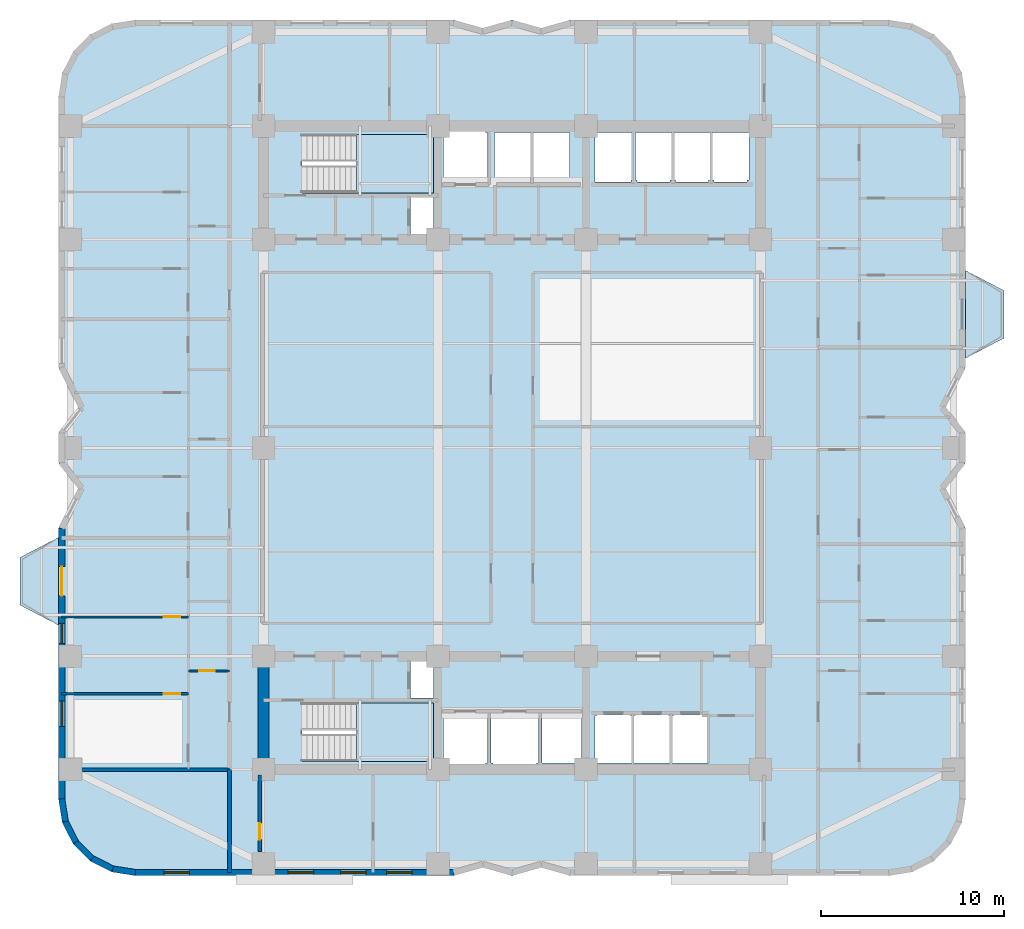
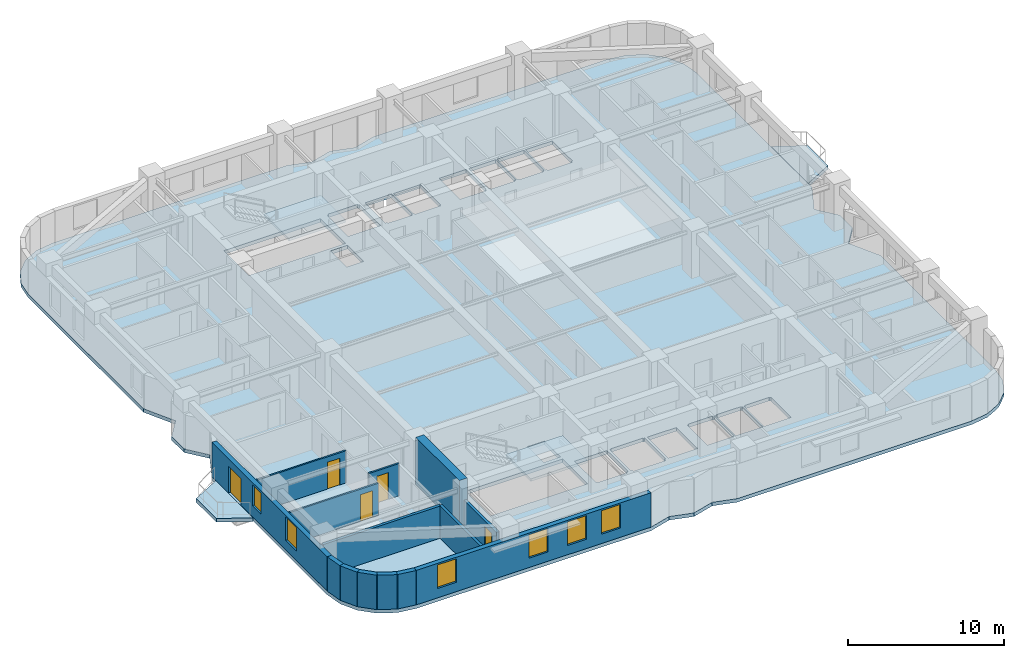
# One storey, part 2 of 10: 14 walls, 6 windows, 5 doors, 5 slabs, 11 openings, 2 elements without a shape of their own.
"""IFC4 building model written with IfcOpenShell, lengths in metres."""

from ifc_helpers import new_model, si_unit, direction, frame, frame_2d, origin, place, context, subcontext, project, spatial, polyline, rectangle, outline, extrude, material, layer, layer_set, type_object, element, fill, aggregate, save


model = new_model("IFC4")

# Units and contexts
model_context = context("Model", 3, precision=1e-05, world=origin(), true_north=direction((0.0, 1.0)))
body_context = subcontext(model_context, "Body", "Model", "MODEL_VIEW")
ifc_project = project(units=[si_unit("LENGTHUNIT", "METRE"), si_unit("AREAUNIT", "SQUARE_METRE"), si_unit("VOLUMEUNIT", "CUBIC_METRE"), si_unit("PLANEANGLEUNIT", "RADIAN"), si_unit("MASSUNIT", "GRAM", prefix="KILO")], contexts=[model_context])

# Site, building, storey
site_placement = place(None, origin())
site = spatial("IfcSite", under=ifc_project, at=site_placement, CompositionType="ELEMENT")
building_placement = place(site_placement, origin())
building = spatial("IfcBuilding", under=site, at=building_placement, Name="Svetorya Sky Lyceum", CompositionType="ELEMENT")
storey_placement = place(building_placement, frame((0.0, 0.0, 69.5)))
storey = spatial("IfcBuildingStorey", under=building, at=storey_placement, Name="L17", CompositionType="ELEMENT", Elevation=69.5)

# Slabs
ifc_material_1 = material(Name="Concrete C40/50", Category="concrete")
ifc_layer_1 = layer(ifc_material_1, 0.280029296875)
ifc_layer_set_1 = layer_set([ifc_layer_1], Name="Concrete C40/50")
slab_type_1 = type_object("IfcSlabType", Name="SL-BAL-280", PredefinedType="FLOOR", material=ifc_layer_set_1)
slab_1_placement = place(storey_placement, frame((0.0, 0.0, -0.280029296875)))
element("IfcSlab", 1, at=slab_1_placement, inside=storey, type_object=slab_type_1, Name="L17 Chamfered Loggia Balcony BAL-W1", PredefinedType="FLOOR", context=body_context, shape_type="SweptSolid", body=[
    extrude(outline(polyline([(14.389892578125, 18.5), (14.389892578125, 23.300048828125), (12.2900390625, 22.199951171875), (12.2900390625, 19.60009765625), (14.389892578125, 18.5)])), origin(), (0.0, 0.0, 1.0), 0.280029296875),
])
slab_2_placement = place(storey_placement, frame((0.0, 0.0, -0.280029296875)))
element("IfcSlab", 2, at=slab_2_placement, inside=storey, type_object=slab_type_1, Name="L17 Chamfered Loggia Balcony BAL-E1", PredefinedType="FLOOR", context=body_context, shape_type="SweptSolid", body=[
    extrude(outline(polyline([(64.010009765625, 33.10009765625), (66.110107421875, 34.199951171875), (66.110107421875, 36.800048828125), (64.010009765625, 37.89990234375), (64.010009765625, 33.10009765625)])), origin(), (0.0, 0.0, 1.0), 0.280029296875),
])

# Stair, slab
stair_type_1 = type_object("IfcStairType", Name="STR-ST-S", PredefinedType="HALF_TURN_STAIR", material=ifc_material_1)
stair_1_placement = place(storey_placement, origin())
stair_1 = element("IfcStair", 3, at=stair_1_placement, inside=storey, type_object=stair_type_1, Name="L17 South Core Smoke-Free Exit Stair N2", PredefinedType="HALF_TURN_STAIR")
ifc_layer_2 = layer(ifc_material_1, 0.199951171875)
ifc_layer_set_2 = layer_set([ifc_layer_2], Name="Concrete C40/50")
slab_type_2 = type_object("IfcSlabType", Name="SL-STR-LAND-200", PredefinedType="LANDING", material=ifc_layer_set_2)
slab_3_placement = place(storey_placement, frame((0.0, 0.0, 1.64990234375)))
slab_3 = element("IfcSlab", 4, at=slab_3_placement, type_object=slab_type_2, Name="ST-S landing 1", PredefinedType="LANDING", context=body_context, shape_type="SweptSolid", body=[
    extrude(outline(polyline([(30.699951171875, 11.050048828125), (34.89990234375, 11.050048828125), (34.89990234375, 14.25), (30.699951171875, 14.25), (30.699951171875, 11.050048828125)])), origin(), (0.0, 0.0, 1.0), 0.2001953125),
])
aggregate(stair_1, [slab_3])

stair_type_2 = type_object("IfcStairType", Name="STR-ST-N", PredefinedType="HALF_TURN_STAIR", material=ifc_material_1)
stair_2_placement = place(storey_placement, origin())
stair_2 = element("IfcStair", 5, at=stair_2_placement, inside=storey, type_object=stair_type_2, Name="L17 North Core Smoke-Free Exit Stair N3", PredefinedType="HALF_TURN_STAIR")
slab_4_placement = place(storey_placement, frame((0.0, 0.0, 1.64990234375)))
slab_4 = element("IfcSlab", 6, at=slab_4_placement, type_object=slab_type_2, Name="ST-N landing 1", PredefinedType="LANDING", context=body_context, shape_type="SweptSolid", body=[
    extrude(outline(polyline([(30.699951171875, 42.14990234375), (34.89990234375, 42.14990234375), (34.89990234375, 45.35009765625), (30.699951171875, 45.35009765625), (30.699951171875, 42.14990234375)])), origin(), (0.0, 0.0, 1.0), 0.2001953125),
])
aggregate(stair_2, [slab_4])

# Slab
ifc_material_2 = material(Name="Concrete C50/60", Category="concrete")
ifc_layer_3 = layer(ifc_material_2, 0.280029296875)
ifc_layer_set_3 = layer_set([ifc_layer_3], Name="Concrete C50/60")
slab_type_3 = type_object("IfcSlabType", Name="SL-TWR-280", PredefinedType="FLOOR", material=ifc_layer_set_3)
slab_5_placement = place(storey_placement, frame((0.0, 0.0, -0.280029296875)))
element("IfcSlab", 7, at=slab_5_placement, inside=storey, type_object=slab_type_3, Name="L17 Structural Floor Slab", PredefinedType="FLOOR", context=body_context, shape_type="SweptSolid", body=[
    extrude(outline(polyline([(14.39990234375, 9.0), (14.605712890625, 7.7021484375), (15.2021484375, 6.53125), (16.13134765625, 5.60205078125), (17.302001953125, 5.005615234375), (18.60009765625, 4.800048828125), (36.0, 4.800048828125), (37.60009765625, 5.25), (39.199951171875, 4.800048828125), (40.800048828125, 5.25), (42.39990234375, 4.800048828125), (59.800048828125, 4.800048828125), (61.097900390625, 5.005615234375), (62.268798828125, 5.60205078125), (63.197998046875, 6.53125), (63.79443359375, 7.7021484375), (64.0, 9.0), (64.0, 23.800048828125), (62.89990234375, 26.0), (64.0, 27.39990234375), (64.0, 29.0), (62.89990234375, 30.39990234375), (64.0, 32.60009765625), (64.0, 47.39990234375), (63.79443359375, 48.697998046875), (63.197998046875, 49.86865234375), (62.268798828125, 50.7978515625), (61.097900390625, 51.394287109375), (59.800048828125, 51.60009765625), (42.39990234375, 51.60009765625), (40.800048828125, 51.14990234375), (39.199951171875, 51.60009765625), (37.60009765625, 51.14990234375), (36.0, 51.60009765625), (18.60009765625, 51.60009765625), (17.302001953125, 51.394287109375), (16.13134765625, 50.7978515625), (15.2021484375, 49.86865234375), (14.605712890625, 48.697998046875), (14.39990234375, 47.39990234375), (14.39990234375, 32.60009765625), (15.5, 30.39990234375), (14.39990234375, 29.0), (14.39990234375, 27.39990234375), (15.5, 26.0), (14.39990234375, 23.800048828125), (14.39990234375, 9.0)]), holes=[polyline([(35.550048828125, 13.64990234375), (37.75, 13.64990234375), (37.85009765625, 13.64990234375), (37.85009765625, 10.949951171875), (37.75, 10.949951171875), (37.75, 10.85009765625), (35.550048828125, 10.85009765625), (35.550048828125, 10.949951171875), (35.449951171875, 10.949951171875), (35.449951171875, 13.64990234375), (35.550048828125, 13.64990234375)]), polyline([(40.64990234375, 10.949951171875), (40.550048828125, 10.949951171875), (40.550048828125, 10.800048828125), (38.14990234375, 10.800048828125), (38.14990234375, 10.949951171875), (38.050048828125, 10.949951171875), (38.050048828125, 13.64990234375), (38.14990234375, 13.64990234375), (38.14990234375, 13.699951171875), (40.550048828125, 13.699951171875), (40.550048828125, 13.64990234375), (40.64990234375, 13.64990234375), (40.64990234375, 10.949951171875)]), polyline([(40.85009765625, 13.64990234375), (43.0, 13.64990234375), (43.0, 10.949951171875), (40.85009765625, 10.949951171875), (40.85009765625, 13.64990234375)]), polyline([(27.719970703125, 14.25), (34.89990234375, 14.25), (34.89990234375, 11.050048828125), (27.719970703125, 11.050048828125), (27.719970703125, 14.25)]), polyline([(33.64990234375, 16.580078125), (34.89990234375, 16.580078125), (34.89990234375, 14.52001953125), (33.64990234375, 14.52001953125), (33.64990234375, 16.580078125)]), polyline([(33.64990234375, 39.820068359375), (33.64990234375, 41.89990234375), (34.89990234375, 41.89990234375), (34.89990234375, 39.820068359375), (33.64990234375, 39.820068359375)]), polyline([(27.719970703125, 45.35009765625), (34.89990234375, 45.35009765625), (34.89990234375, 42.14990234375), (27.719970703125, 42.14990234375), (27.719970703125, 45.35009765625)]), polyline([(35.550048828125, 42.75), (35.449951171875, 42.75), (35.449951171875, 45.449951171875), (35.550048828125, 45.449951171875), (35.550048828125, 45.550048828125), (37.75, 45.550048828125), (37.75, 45.449951171875), (37.85009765625, 45.449951171875), (37.85009765625, 42.75), (37.75, 42.75), (35.550048828125, 42.75)]), polyline([(40.199951171875, 42.85009765625), (40.199951171875, 42.75), (38.39990234375, 42.75), (38.39990234375, 42.85009765625), (38.25, 42.85009765625), (38.25, 45.449951171875), (38.39990234375, 45.449951171875), (40.199951171875, 45.449951171875), (40.25, 45.449951171875), (40.25, 42.85009765625), (40.199951171875, 42.85009765625)]), polyline([(40.39990234375, 42.85009765625), (40.35009765625, 42.85009765625), (40.35009765625, 45.449951171875), (40.39990234375, 45.449951171875), (42.300048828125, 45.449951171875), (42.35009765625, 45.449951171875), (42.35009765625, 42.85009765625), (42.300048828125, 42.85009765625), (42.300048828125, 42.75), (40.39990234375, 42.75), (40.39990234375, 42.85009765625)]), polyline([(43.85009765625, 10.949951171875), (43.75, 10.949951171875), (43.75, 13.550048828125), (43.85009765625, 13.550048828125), (43.85009765625, 13.60009765625), (45.64990234375, 13.60009765625), (45.64990234375, 13.550048828125), (45.75, 13.550048828125), (45.75, 10.949951171875), (45.64990234375, 10.949951171875), (43.85009765625, 10.949951171875)]), polyline([(45.949951171875, 10.949951171875), (45.85009765625, 10.949951171875), (45.85009765625, 13.550048828125), (45.949951171875, 13.550048828125), (45.949951171875, 13.60009765625), (47.75, 13.60009765625), (47.75, 13.550048828125), (47.85009765625, 13.550048828125), (47.85009765625, 10.949951171875), (47.75, 10.949951171875), (45.949951171875, 10.949951171875)]), polyline([(49.85009765625, 13.550048828125), (49.949951171875, 13.550048828125), (49.949951171875, 10.949951171875), (49.85009765625, 10.949951171875), (48.050048828125, 10.949951171875), (47.949951171875, 10.949951171875), (47.949951171875, 13.550048828125), (48.050048828125, 13.550048828125), (48.050048828125, 13.60009765625), (49.85009765625, 13.60009765625), (49.85009765625, 13.550048828125)]), polyline([(43.75, 42.85009765625), (43.75, 45.449951171875), (45.699951171875, 45.449951171875), (45.75, 45.449951171875), (45.75, 42.85009765625), (45.699951171875, 42.85009765625), (45.699951171875, 42.75), (43.75, 42.75), (43.75, 42.85009765625)]), polyline([(46.050048828125, 42.85009765625), (45.949951171875, 42.85009765625), (45.949951171875, 45.449951171875), (46.050048828125, 45.449951171875), (47.85009765625, 45.449951171875), (47.949951171875, 45.449951171875), (47.949951171875, 42.85009765625), (47.85009765625, 42.85009765625), (47.85009765625, 42.75), (46.050048828125, 42.75), (46.050048828125, 42.85009765625)]), polyline([(48.14990234375, 42.85009765625), (48.050048828125, 42.85009765625), (48.050048828125, 45.449951171875), (48.14990234375, 45.449951171875), (49.949951171875, 45.449951171875), (50.050048828125, 45.449951171875), (50.050048828125, 42.85009765625), (49.949951171875, 42.85009765625), (49.949951171875, 42.75), (48.14990234375, 42.75), (48.14990234375, 42.85009765625)]), polyline([(50.25, 42.85009765625), (50.14990234375, 42.85009765625), (50.14990234375, 45.449951171875), (50.25, 45.449951171875), (52.050048828125, 45.449951171875), (52.14990234375, 45.449951171875), (52.14990234375, 42.85009765625), (52.050048828125, 42.85009765625), (52.050048828125, 42.75), (50.25, 42.75), (50.25, 42.85009765625)])]), origin(), (0.0, 0.0, 1.0), 0.280029296875),
])

# Walls
ifc_material_3 = material(Name="Concrete C60/75", Category="concrete")
ifc_layer_4 = layer(ifc_material_3, 0.60009765625)
ifc_layer_set_4 = layer_set([ifc_layer_4], Name="Concrete C60/75")
wall_type_1 = type_object("IfcWallType", Name="WL-CORE-600", PredefinedType="SHEAR", material=ifc_layer_set_4)
wall_1_placement = place(storey_placement, frame((25.60009765625, 10.89990234375, 0.0), z_axis=(0.0, 0.0, 1.0), x_axis=(0.0, 1.0, 0.0)))
element("IfcWall", 8, at=wall_1_placement, inside=storey, type_object=wall_type_1, Name="L17 SC West Core Shear Wall", PredefinedType="SHEAR", context=body_context, shape_type="SweptSolid", body=[
    extrude(rectangle(XDim=5.60009765625, YDim=0.60009765625, at=frame_2d((2.800048828125, 0.0))), origin(), (0.0, 0.0, 1.0), 3.699951171875),
])
ifc_material_4 = material(Name="Putilovo limestone rainscreen on autoclaved cellular masonry", Category="masonry")
ifc_layer_5 = layer(ifc_material_4, 0.340087890625)
ifc_layer_set_5 = layer_set([ifc_layer_5], Name="Putilovo limestone rainscreen on autoclaved cellular masonry")
wall_type_2 = type_object("IfcWallType", Name="WL-EXT-340", PredefinedType="SOLIDWALL", material=ifc_layer_set_5)
wall_2_placement = place(storey_placement, frame((14.570068359375, 9.0, 0.0), z_axis=(0.0, 0.0, 1.0), x_axis=(0.156260864002, -0.98771582066, 0.0)))
element("IfcWall", 9, at=wall_2_placement, inside=storey, type_object=wall_type_2, Name="L17 Limestone Exterior Wall 1M", PredefinedType="SOLIDWALL", context=body_context, shape_type="SweptSolid", body=[
    extrude(rectangle(XDim=1.2607421875, YDim=0.340087890625, at=frame_2d((0.63037109375, 0.0))), origin(), (0.0, 0.0, 1.0), 2.699951171875),
])
wall_3_placement = place(storey_placement, frame((14.76708984375, 7.754638671875, 0.0), z_axis=(0.0, 0.0, 1.0), x_axis=(0.454015689056, -0.890993689142, 0.0)))
element("IfcWall", 10, at=wall_3_placement, inside=storey, type_object=wall_type_2, Name="L17 Limestone Exterior Wall 2M", PredefinedType="SOLIDWALL", context=body_context, shape_type="SweptSolid", body=[
    extrude(rectangle(XDim=1.260986328125, YDim=0.340087890625, at=frame_2d((0.63037109375, 0.0))), origin(), (0.0, 0.0, 1.0), 2.699951171875),
])
wall_4_placement = place(storey_placement, frame((15.339599609375, 6.631103515625, 0.0), z_axis=(0.0, 0.0, 1.0), x_axis=(0.707203598708, -0.707009950407, 0.0)))
element("IfcWall", 11, at=wall_4_placement, inside=storey, type_object=wall_type_2, Name="L17 Limestone Exterior Wall 3M", PredefinedType="SOLIDWALL", context=body_context, shape_type="SweptSolid", body=[
    extrude(rectangle(XDim=1.2607421875, YDim=0.340087890625, at=frame_2d((0.63037109375, 0.0))), origin(), (0.0, 0.0, 1.0), 2.699951171875),
])
for number, where, z_axis, x_axis, name in (
    (12, (16.231201171875, 5.73974609375, 0.0), (0.0, 0.0, 1.0), (0.890993689142, -0.454015689056, 0.0), "L17 Limestone Exterior Wall 4M"),
    (13, (17.354736328125, 5.167236328125, 0.0), (0.0, 0.0, 1.0), (0.987685918112, -0.15644975923, 0.0), "L17 Limestone Exterior Wall 5M"),
):
    element("IfcWall", number, at=place(storey_placement, frame(where, z_axis=z_axis, x_axis=x_axis)), inside=storey, type_object=wall_type_2, Name=name, PredefinedType="SOLIDWALL", context=body_context, shape_type="SweptSolid", body=[
        extrude(rectangle(XDim=1.260986328125, YDim=0.340087890625, at=frame_2d((0.63037109375, 0.0))), origin(), (0.0, 0.0, 1.0), 2.699951171875),
    ])

# Wall, openings, windows
wall_5_placement = place(storey_placement, frame((18.60009765625, 4.969970703125, 0.0), z_axis=(0.0, 0.0, 1.0), x_axis=(1.0, 0.0, 0.0)))
wall_5 = element("IfcWall", 14, at=wall_5_placement, inside=storey, type_object=wall_type_2, Name="L17 Limestone Exterior Wall 6M", PredefinedType="SOLIDWALL", context=body_context, shape_type="SweptSolid", body=[
    extrude(rectangle(XDim=17.39990234375, YDim=0.340087890625, at=frame_2d((8.699951171875, 0.0))), origin(), (0.0, 0.0, 1.0), 2.699951171875),
])
opening_1_placement = place(wall_5_placement, frame((1.56005859375, 0.0, 0.72998046875)))
opening_1 = element("IfcOpeningElement", 15, at=opening_1_placement, cuts=wall_5, Name="Opening W-R2", PredefinedType="OPENING", context=body_context, shape_type="SweptSolid", body=[
    extrude(rectangle(XDim=1.39990234375, YDim=1.85009765625, at=frame_2d((0.699951171875, 0.925048828125))), frame((0.0, 0.179931640625, 0.0), z_axis=(0.0, -1.0, 0.0), x_axis=(1.0, 0.0, 0.0)), (0.0, 0.0, 1.0), 0.360107421875),
])
opening_2_placement = place(wall_5_placement, frame((8.35009765625, 0.0, 0.72998046875)))
opening_2 = element("IfcOpeningElement", 16, at=opening_2_placement, cuts=wall_5, Name="Opening W-R2", PredefinedType="OPENING", context=body_context, shape_type="SweptSolid", body=[
    extrude(rectangle(XDim=1.39990234375, YDim=1.85009765625, at=frame_2d((0.699951171875, 0.925048828125))), frame((0.0, 0.179931640625, 0.0), z_axis=(0.0, -1.0, 0.0), x_axis=(1.0, 0.0, 0.0)), (0.0, 0.0, 1.0), 0.360107421875),
])
opening_3_placement = place(wall_5_placement, frame((11.219970703125, 0.0, 0.72998046875)))
opening_3 = element("IfcOpeningElement", 17, at=opening_3_placement, cuts=wall_5, Name="Opening W-R2", PredefinedType="OPENING", context=body_context, shape_type="SweptSolid", body=[
    extrude(rectangle(XDim=1.39990234375, YDim=1.85009765625, at=frame_2d((0.699951171875, 0.925048828125))), frame((0.0, 0.179931640625, 0.0), z_axis=(0.0, -1.0, 0.0), x_axis=(1.0, 0.0, 0.0)), (0.0, 0.0, 1.0), 0.360107421875),
])
opening_4_placement = place(wall_5_placement, frame((13.739990234375, 0.0, 0.72998046875)))
opening_4 = element("IfcOpeningElement", 18, at=opening_4_placement, cuts=wall_5, Name="Opening W-R2", PredefinedType="OPENING", context=body_context, shape_type="SweptSolid", body=[
    extrude(rectangle(XDim=1.39990234375, YDim=1.85009765625, at=frame_2d((0.699951171875, 0.925048828125))), frame((0.0, 0.179931640625, 0.0), z_axis=(0.0, -1.0, 0.0), x_axis=(1.0, 0.0, 0.0)), (0.0, 0.0, 1.0), 0.360107421875),
])
ifc_material_5 = material(Name="Thermally broken aluminium frame with triple low-E glazing", Category="aluminium")
window_type_1 = type_object("IfcWindowType", Name="WN-RES-140", PartitioningType="SINGLE_PANEL", PredefinedType="WINDOW", material=ifc_material_5)
window_1_placement = place(opening_1_placement, origin())
window_1 = element("IfcWindow", 19, at=window_1_placement, inside=storey, type_object=window_type_1, Name="L17 Facade Window W-R2.6M.1", OverallHeight=1.85009765625, OverallWidth=1.39990234375, PartitioningType="SINGLE_PANEL", PredefinedType="WINDOW", context=body_context, shape_type="SweptSolid", body=[
    extrude(rectangle(XDim=1.39990234375, YDim=1.85009765625, at=frame_2d((0.699951171875, 0.925048828125))), frame((0.0, 0.030029296875, 0.0), z_axis=(0.0, -1.0, 0.0), x_axis=(1.0, 0.0, 0.0)), (0.0, 0.0, 1.0), 0.06005859375),
])
fill(opening_1, window_1)
window_2_placement = place(opening_2_placement, origin())
window_2 = element("IfcWindow", 20, at=window_2_placement, inside=storey, type_object=window_type_1, Name="L17 Facade Window W-R2.6M.2", OverallHeight=1.85009765625, OverallWidth=1.39990234375, PartitioningType="SINGLE_PANEL", PredefinedType="WINDOW", context=body_context, shape_type="SweptSolid", body=[
    extrude(rectangle(XDim=1.39990234375, YDim=1.85009765625, at=frame_2d((0.699951171875, 0.925048828125))), frame((0.0, 0.030029296875, 0.0), z_axis=(0.0, -1.0, 0.0), x_axis=(1.0, 0.0, 0.0)), (0.0, 0.0, 1.0), 0.06005859375),
])
fill(opening_2, window_2)
window_3_placement = place(opening_3_placement, origin())
window_3 = element("IfcWindow", 21, at=window_3_placement, inside=storey, type_object=window_type_1, Name="L17 Facade Window W-R2.6M.3", OverallHeight=1.85009765625, OverallWidth=1.39990234375, PartitioningType="SINGLE_PANEL", PredefinedType="WINDOW", context=body_context, shape_type="SweptSolid", body=[
    extrude(rectangle(XDim=1.39990234375, YDim=1.85009765625, at=frame_2d((0.699951171875, 0.925048828125))), frame((0.0, 0.030029296875, 0.0), z_axis=(0.0, -1.0, 0.0), x_axis=(1.0, 0.0, 0.0)), (0.0, 0.0, 1.0), 0.06005859375),
])
fill(opening_3, window_3)
window_4_placement = place(opening_4_placement, origin())
window_4 = element("IfcWindow", 22, at=window_4_placement, inside=storey, type_object=window_type_1, Name="L17 Facade Window W-R2.6M.4", OverallHeight=1.85009765625, OverallWidth=1.39990234375, PartitioningType="SINGLE_PANEL", PredefinedType="WINDOW", context=body_context, shape_type="SweptSolid", body=[
    extrude(rectangle(XDim=1.39990234375, YDim=1.85009765625, at=frame_2d((0.699951171875, 0.925048828125))), frame((0.0, 0.030029296875, 0.0), z_axis=(0.0, -1.0, 0.0), x_axis=(1.0, 0.0, 0.0)), (0.0, 0.0, 1.0), 0.06005859375),
])
fill(opening_4, window_4)

# Wall, openings, door, windows
wall_6_placement = place(storey_placement, frame((14.570068359375, 23.800048828125, 0.0), z_axis=(0.0, 0.0, 1.0), x_axis=(0.0, -1.0, 0.0)))
wall_6 = element("IfcWall", 23, at=wall_6_placement, inside=storey, type_object=wall_type_2, Name="L17 Limestone Exterior Wall 46M", PredefinedType="SOLIDWALL", context=body_context, shape_type="SweptSolid", body=[
    extrude(rectangle(XDim=14.800048828125, YDim=0.340087890625, at=frame_2d((7.39990234375, 0.0))), origin(), (0.0, 0.0, 1.0), 2.699951171875),
])
opening_5_placement = place(wall_6_placement, frame((2.10009765625, 0.0, 0.0)))
opening_5 = element("IfcOpeningElement", 24, at=opening_5_placement, cuts=wall_6, Name="Opening D-BL1", PredefinedType="OPENING", context=body_context, shape_type="SweptSolid", body=[
    extrude(rectangle(XDim=1.60009765625, YDim=2.10009765625, at=frame_2d((0.800048828125, 1.050048828125))), frame((0.0, 0.179931640625, 0.0), z_axis=(0.0, -1.0, 0.0), x_axis=(1.0, 0.0, 0.0)), (0.0, 0.0, 1.0), 0.360107421875),
])
opening_6_placement = place(wall_6_placement, frame((5.199951171875, 0.0, 0.889892578125)))
opening_6 = element("IfcOpeningElement", 25, at=opening_6_placement, cuts=wall_6, Name="Opening W-R3", PredefinedType="OPENING", context=body_context, shape_type="SweptSolid", body=[
    extrude(rectangle(XDim=1.10009765625, YDim=1.64990234375, at=frame_2d((0.550048828125, 0.824951171875))), frame((0.0, 0.179931640625, 0.0), z_axis=(0.0, -1.0, 0.0), x_axis=(1.0, 0.0, 0.0)), (0.0, 0.0, 1.0), 0.360107421875),
])
opening_7_placement = place(wall_6_placement, frame((9.4375, 0.0, 0.72998046875)))
opening_7 = element("IfcOpeningElement", 26, at=opening_7_placement, cuts=wall_6, Name="Opening W-R2", PredefinedType="OPENING", context=body_context, shape_type="SweptSolid", body=[
    extrude(rectangle(XDim=1.39990234375, YDim=1.85009765625, at=frame_2d((0.699951171875, 0.925048828125))), frame((0.0, 0.179931640625, 0.0), z_axis=(0.0, -1.0, 0.0), x_axis=(1.0, 0.0, 0.0)), (0.0, 0.0, 1.0), 0.360107421875),
])
ifc_material_6 = material(Name="Insulated glazed aluminium balcony door", Category="aluminium")
door_type_1 = type_object("IfcDoorType", Name="DR-BAL-1600", OperationType="DOUBLE_DOOR_SINGLE_SWING", PredefinedType="DOOR", material=ifc_material_6)
door_1_placement = place(opening_5_placement, origin())
door_1 = element("IfcDoor", 27, at=door_1_placement, inside=storey, type_object=door_type_1, Name="L17 Balcony BAL-W1 Door", OperationType="DOUBLE_DOOR_SINGLE_SWING", OverallHeight=2.10009765625, OverallWidth=1.60009765625, PredefinedType="DOOR", context=body_context, shape_type="SweptSolid", body=[
    extrude(rectangle(XDim=1.60009765625, YDim=2.10009765625, at=frame_2d((0.800048828125, 1.050048828125))), frame((0.0, 0.02490234375, 0.0), z_axis=(0.0, -1.0, 0.0), x_axis=(1.0, 0.0, 0.0)), (0.0, 0.0, 1.0), 0.050048828125),
])
fill(opening_5, door_1)
window_type_2 = type_object("IfcWindowType", Name="WN-RES-110", PartitioningType="SINGLE_PANEL", PredefinedType="WINDOW", material=ifc_material_5)
window_5_placement = place(opening_6_placement, origin())
window_5 = element("IfcWindow", 28, at=window_5_placement, inside=storey, type_object=window_type_2, Name="L17 Facade Window W-R3.46M.2", OverallHeight=1.64990234375, OverallWidth=1.10009765625, PartitioningType="SINGLE_PANEL", PredefinedType="WINDOW", context=body_context, shape_type="SweptSolid", body=[
    extrude(rectangle(XDim=1.10009765625, YDim=1.64990234375, at=frame_2d((0.550048828125, 0.824951171875))), frame((0.0, 0.030029296875, 0.0), z_axis=(0.0, -1.0, 0.0), x_axis=(1.0, 0.0, 0.0)), (0.0, 0.0, 1.0), 0.06005859375),
])
fill(opening_6, window_5)
window_6_placement = place(opening_7_placement, origin())
window_6 = element("IfcWindow", 29, at=window_6_placement, inside=storey, type_object=window_type_1, Name="L17 Facade Window W-R2.46M.1", OverallHeight=1.85009765625, OverallWidth=1.39990234375, PartitioningType="SINGLE_PANEL", PredefinedType="WINDOW", context=body_context, shape_type="SweptSolid", body=[
    extrude(rectangle(XDim=1.39990234375, YDim=1.85009765625, at=frame_2d((0.699951171875, 0.925048828125))), frame((0.0, 0.030029296875, 0.0), z_axis=(0.0, -1.0, 0.0), x_axis=(1.0, 0.0, 0.0)), (0.0, 0.0, 1.0), 0.06005859375),
])
fill(opening_7, window_6)

# Wall, opening, door
ifc_material_7 = material(Name="Twin-stud galvanized framing with double fireboard", Category="gypsum")
ifc_layer_6 = layer(ifc_material_7, 0.1201171875)
ifc_layer_set_6 = layer_set([ifc_layer_6], Name="Twin-stud galvanized framing with double fireboard")
wall_type_3 = type_object("IfcWallType", Name="WL-PART-120", PredefinedType="PARTITIONING", material=ifc_layer_set_6)
wall_7_placement = place(storey_placement, frame((21.5, 16.0, 0.0), z_axis=(0.0, 0.0, 1.0), x_axis=(1.0, 0.0, 0.0)))
wall_7 = element("IfcWall", 30, at=wall_7_placement, inside=storey, type_object=wall_type_3, Name="L17 Interior Partition W1-WH1", PredefinedType="PARTITIONING", context=body_context, shape_type="SweptSolid", body=[
    extrude(rectangle(XDim=2.25, YDim=0.1201171875, at=frame_2d((1.125, 0.0))), origin(), (0.0, 0.0, 1.0), 2.530029296875),
])
opening_8_placement = place(wall_7_placement, frame((0.60009765625, 0.0, 0.0)))
opening_8 = element("IfcOpeningElement", 31, at=opening_8_placement, cuts=wall_7, Name="Opening D-BT1", PredefinedType="OPENING", context=body_context, shape_type="SweptSolid", body=[
    extrude(rectangle(XDim=0.85009765625, YDim=2.10009765625, at=frame_2d((0.425048828125, 1.050048828125))), frame((0.0, 0.070068359375, 0.0), z_axis=(0.0, -1.0, 0.0), x_axis=(1.0, 0.0, 0.0)), (0.0, 0.0, 1.0), 0.14013671875),
])
ifc_material_8 = material(Name="Moisture-resistant laminate bathroom door")
door_type_2 = type_object("IfcDoorType", Name="DR-WET-850", OperationType="SINGLE_SWING_LEFT", PredefinedType="DOOR", material=ifc_material_8)
door_2_placement = place(opening_8_placement, origin())
door_2 = element("IfcDoor", 32, at=door_2_placement, inside=storey, type_object=door_type_2, Name="Apartment W1 Bathroom Door", OperationType="SINGLE_SWING_LEFT", OverallHeight=2.10009765625, OverallWidth=0.85009765625, PredefinedType="DOOR", context=body_context, shape_type="SweptSolid", body=[
    extrude(rectangle(XDim=0.85009765625, YDim=2.10009765625, at=frame_2d((0.425048828125, 1.050048828125))), frame((0.0, 0.02490234375, 0.0), z_axis=(0.0, -1.0, 0.0), x_axis=(1.0, 0.0, 0.0)), (0.0, 0.0, 1.0), 0.050048828125),
])
fill(opening_8, door_2)

wall_8_placement = place(storey_placement, frame((14.570068359375, 14.75, 0.0), z_axis=(0.0, 0.0, 1.0), x_axis=(1.0, 0.0, 0.0)))
wall_8 = element("IfcWall", 33, at=wall_8_placement, inside=storey, type_object=wall_type_3, Name="L17 Interior Partition W1-WL1", PredefinedType="PARTITIONING", context=body_context, shape_type="SweptSolid", body=[
    extrude(rectangle(XDim=6.929931640625, YDim=0.1201171875, at=frame_2d((3.46484375, 0.0))), origin(), (0.0, 0.0, 1.0), 2.530029296875),
])
opening_9_placement = place(wall_8_placement, frame((5.580078125, 0.0, 0.0)))
opening_9 = element("IfcOpeningElement", 34, at=opening_9_placement, cuts=wall_8, Name="Opening D-RM1", PredefinedType="OPENING", context=body_context, shape_type="SweptSolid", body=[
    extrude(rectangle(XDim=0.89990234375, YDim=2.10009765625, at=frame_2d((0.449951171875, 1.050048828125))), frame((0.0, 0.070068359375, 0.0), z_axis=(0.0, -1.0, 0.0), x_axis=(1.0, 0.0, 0.0)), (0.0, 0.0, 1.0), 0.14013671875),
])
ifc_material_9 = material(Name="Lacquered birch veneer internal door")
door_type_3 = type_object("IfcDoorType", Name="DR-INT-900", OperationType="SINGLE_SWING_LEFT", PredefinedType="DOOR", material=ifc_material_9)
door_3_placement = place(opening_9_placement, origin())
door_3 = element("IfcDoor", 35, at=door_3_placement, inside=storey, type_object=door_type_3, Name="Apartment W1 Master Bedroom Door", OperationType="SINGLE_SWING_LEFT", OverallHeight=2.10009765625, OverallWidth=0.89990234375, PredefinedType="DOOR", context=body_context, shape_type="SweptSolid", body=[
    extrude(rectangle(XDim=0.89990234375, YDim=2.10009765625, at=frame_2d((0.449951171875, 1.050048828125))), frame((0.0, 0.02490234375, 0.0), z_axis=(0.0, -1.0, 0.0), x_axis=(1.0, 0.0, 0.0)), (0.0, 0.0, 1.0), 0.050048828125),
])
fill(opening_9, door_3)

wall_9_placement = place(storey_placement, frame((14.570068359375, 18.949951171875, 0.0), z_axis=(0.0, 0.0, 1.0), x_axis=(1.0, 0.0, 0.0)))
wall_9 = element("IfcWall", 36, at=wall_9_placement, inside=storey, type_object=wall_type_3, Name="L17 Interior Partition W1-WL2", PredefinedType="PARTITIONING", context=body_context, shape_type="SweptSolid", body=[
    extrude(rectangle(XDim=6.929931640625, YDim=0.1201171875, at=frame_2d((3.46484375, 0.0))), origin(), (0.0, 0.0, 1.0), 2.530029296875),
])
opening_10_placement = place(wall_9_placement, frame((5.580078125, 0.0, 0.0)))
opening_10 = element("IfcOpeningElement", 37, at=opening_10_placement, cuts=wall_9, Name="Opening D-RM1", PredefinedType="OPENING", context=body_context, shape_type="SweptSolid", body=[
    extrude(rectangle(XDim=0.89990234375, YDim=2.10009765625, at=frame_2d((0.449951171875, 1.050048828125))), frame((0.0, 0.070068359375, 0.0), z_axis=(0.0, -1.0, 0.0), x_axis=(1.0, 0.0, 0.0)), (0.0, 0.0, 1.0), 0.14013671875),
])
door_4_placement = place(opening_10_placement, origin())
door_4 = element("IfcDoor", 38, at=door_4_placement, inside=storey, type_object=door_type_3, Name="Apartment W1 Bedroom 2 Door", OperationType="SINGLE_SWING_RIGHT", OverallHeight=2.10009765625, OverallWidth=0.89990234375, PredefinedType="DOOR", context=body_context, shape_type="SweptSolid", body=[
    extrude(rectangle(XDim=0.89990234375, YDim=2.10009765625, at=frame_2d((0.449951171875, 1.050048828125))), frame((0.0, 0.02490234375, 0.0), z_axis=(0.0, -1.0, 0.0), x_axis=(1.0, 0.0, 0.0)), (0.0, 0.0, 1.0), 0.050048828125),
])
fill(opening_10, door_4)

# Walls
ifc_material_10 = material(Name="Autoclaved cellular masonry blockwork with gypsum plaster", Category="masonry")
ifc_layer_7 = layer(ifc_material_10, 0.199951171875)
ifc_layer_set_7 = layer_set([ifc_layer_7], Name="Autoclaved cellular masonry blockwork with gypsum plaster")
wall_type_4 = type_object("IfcWallType", Name="WL-PART-200", PredefinedType="PARTITIONING", material=ifc_layer_set_7)
wall_10_placement = place(storey_placement, frame((14.989990234375, 10.60009765625, 0.0), z_axis=(0.0, 0.0, 1.0), x_axis=(1.0, 0.0, 0.0)))
element("IfcWall", 39, at=wall_10_placement, inside=storey, type_object=wall_type_4, Name="L17 Interior Partition W-CAP-S", PredefinedType="PARTITIONING", context=body_context, shape_type="SweptSolid", body=[
    extrude(rectangle(XDim=8.760009765625, YDim=0.199951171875, at=frame_2d((4.3798828125, 0.0))), origin(), (0.0, 0.0, 1.0), 2.530029296875),
])
wall_11_placement = place(storey_placement, frame((23.75, 4.969970703125, 0.0), z_axis=(0.0, 0.0, 1.0), x_axis=(0.0, 1.0, 0.0)))
element("IfcWall", 40, at=wall_11_placement, inside=storey, type_object=wall_type_4, Name="L17 Interior Partition WC-SW-END", PredefinedType="PARTITIONING", context=body_context, shape_type="SweptSolid", body=[
    extrude(rectangle(XDim=5.630126953125, YDim=0.199951171875, at=frame_2d((2.81494140625, 0.0))), origin(), (0.0, 0.0, 1.0), 2.530029296875),
])

# Wall, opening, door
wall_12_placement = place(storey_placement, frame((25.39990234375, 6.1201171875, 0.0), z_axis=(0.0, 0.0, 1.0), x_axis=(0.0, 1.0, 0.0)))
wall_12 = element("IfcWall", 41, at=wall_12_placement, inside=storey, type_object=wall_type_4, Name="L17 Interior Partition S-EW", PredefinedType="PARTITIONING", context=body_context, shape_type="SweptSolid", body=[
    extrude(rectangle(XDim=4.179931640625, YDim=0.199951171875, at=frame_2d((2.08984375, 0.0))), origin(), (0.0, 0.0, 1.0), 2.530029296875),
])
opening_11_placement = place(wall_12_placement, frame((0.64990234375, 0.0, 0.0)))
opening_11 = element("IfcOpeningElement", 42, at=opening_11_placement, cuts=wall_12, Name="Opening D-RM1", PredefinedType="OPENING", context=body_context, shape_type="SweptSolid", body=[
    extrude(rectangle(XDim=0.89990234375, YDim=2.10009765625, at=frame_2d((0.449951171875, 1.050048828125))), frame((0.0, 0.10986328125, 0.0), z_axis=(0.0, -1.0, 0.0), x_axis=(1.0, 0.0, 0.0)), (0.0, 0.0, 1.0), 0.219970703125),
])
door_5_placement = place(opening_11_placement, origin())
door_5 = element("IfcDoor", 43, at=door_5_placement, inside=storey, type_object=door_type_3, Name="L17 South Study Door", OperationType="SINGLE_SWING_LEFT", OverallHeight=2.10009765625, OverallWidth=0.89990234375, PredefinedType="DOOR", context=body_context, shape_type="SweptSolid", body=[
    extrude(rectangle(XDim=0.89990234375, YDim=2.10009765625, at=frame_2d((0.449951171875, 1.050048828125))), frame((0.0, 0.02490234375, 0.0), z_axis=(0.0, -1.0, 0.0), x_axis=(1.0, 0.0, 0.0)), (0.0, 0.0, 1.0), 0.050048828125),
])
fill(opening_11, door_5)

save(model, "model.ifc")
